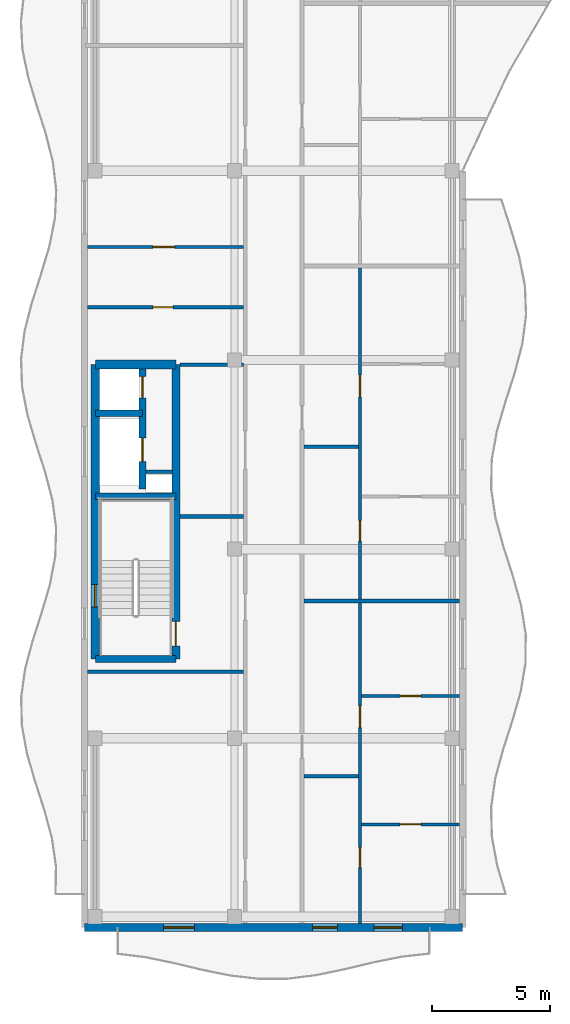
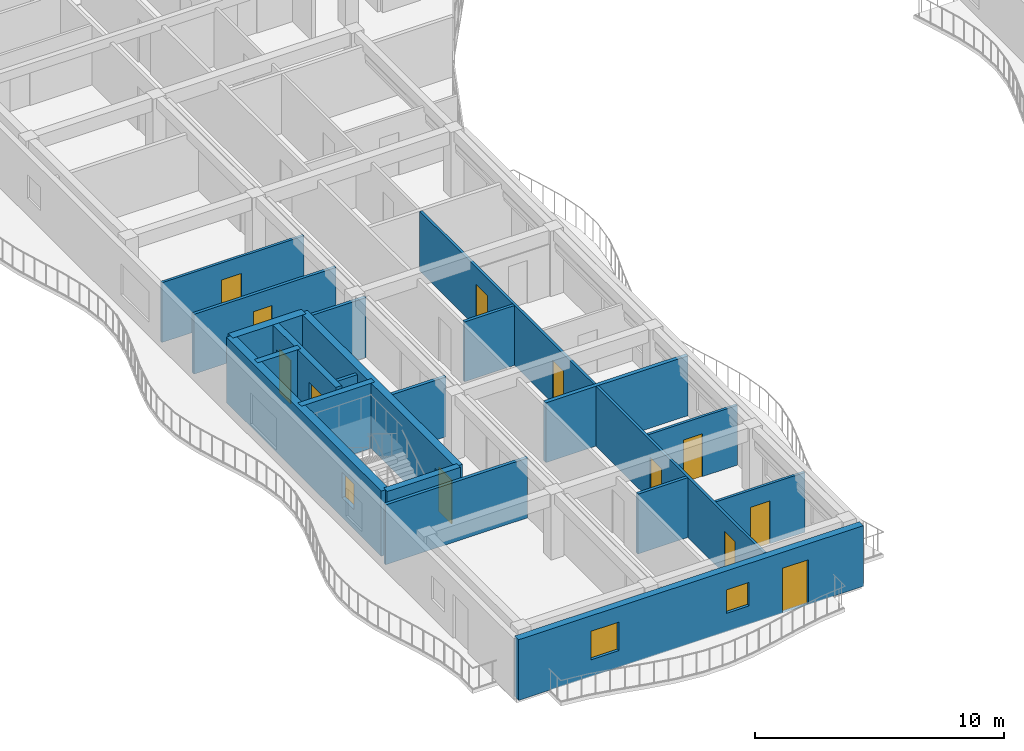
# One storey, part 30 of 76: 21 walls, 12 doors, 3 windows, 15 openings.
"""IFC4 building model written with IfcOpenShell, lengths in metres."""

from ifc_helpers import new_model, si_unit, direction, frame, frame_2d, origin, place, context, subcontext, project, spatial, rectangle, extrude, material, layer, layer_set, type_object, element, fill, save


model = new_model("IFC4")

# Units and contexts
model_context = context("Model", 3, precision=1e-05, world=origin(), true_north=direction((0.0, 1.0)))
body_context = subcontext(model_context, "Body", "Model", "MODEL_VIEW")
ifc_project = project(units=[si_unit("LENGTHUNIT", "METRE"), si_unit("AREAUNIT", "SQUARE_METRE"), si_unit("VOLUMEUNIT", "CUBIC_METRE"), si_unit("PLANEANGLEUNIT", "RADIAN"), si_unit("MASSUNIT", "GRAM", prefix="KILO")], contexts=[model_context])

# Site, building, storey
site_placement = place(None, origin())
site = spatial("IfcSite", under=ifc_project, at=site_placement, CompositionType="ELEMENT")
building_placement = place(site_placement, origin())
building = spatial("IfcBuilding", under=site, at=building_placement, Name="Keldmere Railside Commons", CompositionType="ELEMENT")
storey_placement = place(building_placement, frame((0.0, 0.0, 13.760009765625)))
storey = spatial("IfcBuildingStorey", under=building, at=storey_placement, Name="L04", CompositionType="ELEMENT", Elevation=13.760009765625)

# Wall
ifc_material_1 = material(Name="Acoustic Gypsum Board Partition", Category="gypsum")
ifc_layer_1 = layer(ifc_material_1, 0.179931640625, Name="Acoustic Demising Partition 180")
ifc_layer_set_1 = layer_set([ifc_layer_1], Name="Acoustic Gypsum Board Partition")
wall_type_1 = type_object("IfcWallType", Name="Acoustic Demising Partition 180", PredefinedType="PARTITIONING", material=ifc_layer_set_1)
wall_1_placement = place(storey_placement, frame((17.280029296875, 69.81005859375, 0.0), z_axis=(0.0, 0.0, 1.0), x_axis=(1.0, 0.0, 0.0)))
element("IfcWall", 1, at=wall_1_placement, inside=storey, type_object=wall_type_1, Name="IW-1 IW-L04-0335", PredefinedType="PARTITIONING", context=body_context, shape_type="SweptSolid", body=[
    extrude(rectangle(XDim=6.590087890625, YDim=0.179931640625, at=frame_2d((3.294921875, 0.0))), origin(), (0.0, 0.0, 1.0), 2.93505859375),
])

# Wall, openings, doors
ifc_layer_2 = layer(ifc_material_1, 0.1201171875, Name="Apartment Interior Partition 120")
ifc_layer_set_2 = layer_set([ifc_layer_2], Name="Acoustic Gypsum Board Partition")
wall_type_2 = type_object("IfcWallType", Name="Apartment Interior Partition 120", PredefinedType="PARTITIONING", material=ifc_layer_set_2)
wall_2_placement = place(storey_placement, frame((19.659912109375, 56.159912109375, 0.0), z_axis=(0.0, 0.0, 1.0), x_axis=(0.0, 1.0, 0.0)))
wall_2 = element("IfcWall", 2, at=wall_2_placement, inside=storey, type_object=wall_type_2, Name="IW-4 IW-L04-0338", PredefinedType="PARTITIONING", context=body_context, shape_type="SweptSolid", body=[
    extrude(rectangle(XDim=13.56005859375, YDim=0.1201171875, at=frame_2d((6.780029296875, 0.0))), origin(), (0.0, 0.0, 1.0), 2.93505859375),
])
opening_1_placement = place(wall_2_placement, frame((2.37109375, 0.0, 0.0)))
opening_1 = element("IfcOpeningElement", 3, at=opening_1_placement, cuts=wall_2, Name="Opening ID-04", PredefinedType="OPENING", context=body_context, shape_type="SweptSolid", body=[
    extrude(rectangle(XDim=0.860107421875, YDim=2.10009765625, at=frame_2d((0.43017578125, 1.050048828125))), frame((0.0, 0.070068359375, 0.0), z_axis=(0.0, -1.0, 0.0), x_axis=(1.0, 0.0, 0.0)), (0.0, 0.0, 1.0), 0.14013671875),
])
opening_2_placement = place(wall_2_placement, frame((8.28955078125, 0.0, 0.0)))
opening_2 = element("IfcOpeningElement", 4, at=opening_2_placement, cuts=wall_2, Name="Opening ID-03", PredefinedType="OPENING", context=body_context, shape_type="SweptSolid", body=[
    extrude(rectangle(XDim=0.919921875, YDim=2.10009765625, at=frame_2d((0.4599609375, 1.050048828125))), frame((0.0, 0.070068359375, 0.0), z_axis=(0.0, -1.0, 0.0), x_axis=(1.0, 0.0, 0.0)), (0.0, 0.0, 1.0), 0.14013671875),
])
ifc_material_2 = material(Name="Engineered Oak Timber", Category="wood")
door_type_1 = type_object("IfcDoorType", Name="Apartment Bathroom Door 860x2100", OperationType="NOTDEFINED", PredefinedType="DOOR", material=ifc_material_2)
door_1_placement = place(opening_1_placement, origin())
door_1 = element("IfcDoor", 5, at=door_1_placement, inside=storey, type_object=door_type_1, Name="ID-04 IDR-L04-0238", OperationType="SINGLE_SWING_RIGHT", OverallHeight=2.10009765625, OverallWidth=0.860107421875, PredefinedType="DOOR", context=body_context, shape_type="SweptSolid", body=[
    extrude(rectangle(XDim=0.860107421875, YDim=2.10009765625, at=frame_2d((0.43017578125, 1.050048828125))), frame((0.0, 0.02490234375, 0.0), z_axis=(0.0, -1.0, 0.0), x_axis=(1.0, 0.0, 0.0)), (0.0, 0.0, 1.0), 0.050048828125),
])
fill(opening_1, door_1)
door_type_2 = type_object("IfcDoorType", Name="Kitchen Pocket-Frame Swing Door 920x2100", OperationType="NOTDEFINED", PredefinedType="DOOR", material=ifc_material_2)
door_2_placement = place(opening_2_placement, origin())
door_2 = element("IfcDoor", 6, at=door_2_placement, inside=storey, type_object=door_type_2, Name="ID-03 IDR-L04-0239", OperationType="SINGLE_SWING_LEFT", OverallHeight=2.10009765625, OverallWidth=0.919921875, PredefinedType="DOOR", context=body_context, shape_type="SweptSolid", body=[
    extrude(rectangle(XDim=0.919921875, YDim=2.10009765625, at=frame_2d((0.4599609375, 1.050048828125))), frame((0.0, 0.02490234375, 0.0), z_axis=(0.0, -1.0, 0.0), x_axis=(1.0, 0.0, 0.0)), (0.0, 0.0, 1.0), 0.050048828125),
])
fill(opening_2, door_2)

# Wall, opening, door
wall_3_placement = place(storey_placement, frame((19.719970703125, 60.360107421875, 0.0), z_axis=(0.0, 0.0, 1.0), x_axis=(1.0, 0.0, 0.0)))
wall_3 = element("IfcWall", 7, at=wall_3_placement, inside=storey, type_object=wall_type_2, Name="IW-4 IW-L04-0340", PredefinedType="PARTITIONING", context=body_context, shape_type="SweptSolid", body=[
    extrude(rectangle(XDim=4.150146484375, YDim=0.1201171875, at=frame_2d((2.0751953125, 0.0))), origin(), (0.0, 0.0, 1.0), 2.93505859375),
])
opening_3_placement = place(wall_3_placement, frame((1.625, 0.0, 0.0)))
opening_3 = element("IfcOpeningElement", 8, at=opening_3_placement, cuts=wall_3, Name="Opening ID-01", PredefinedType="OPENING", context=body_context, shape_type="SweptSolid", body=[
    extrude(rectangle(XDim=0.89990234375, YDim=2.10009765625, at=frame_2d((0.449951171875, 1.050048828125))), frame((0.0, 0.070068359375, 0.0), z_axis=(0.0, -1.0, 0.0), x_axis=(1.0, 0.0, 0.0)), (0.0, 0.0, 1.0), 0.14013671875),
])
door_type_3 = type_object("IfcDoorType", Name="Primary Bedroom Door 900x2100", OperationType="NOTDEFINED", PredefinedType="DOOR", material=ifc_material_2)
door_3_placement = place(opening_3_placement, origin())
door_3 = element("IfcDoor", 9, at=door_3_placement, inside=storey, type_object=door_type_3, Name="ID-01 IDR-L04-0241", OperationType="SINGLE_SWING_LEFT", OverallHeight=2.10009765625, OverallWidth=0.89990234375, PredefinedType="DOOR", context=body_context, shape_type="SweptSolid", body=[
    extrude(rectangle(XDim=0.89990234375, YDim=2.10009765625, at=frame_2d((0.449951171875, 1.050048828125))), frame((0.0, 0.02490234375, 0.0), z_axis=(0.0, -1.0, 0.0), x_axis=(1.0, 0.0, 0.0)), (0.0, 0.0, 1.0), 0.050048828125),
])
fill(opening_3, door_3)

wall_4_placement = place(storey_placement, frame((19.719970703125, 65.7900390625, 0.0), z_axis=(0.0, 0.0, 1.0), x_axis=(1.0, 0.0, 0.0)))
wall_4 = element("IfcWall", 10, at=wall_4_placement, inside=storey, type_object=wall_type_2, Name="IW-4 IW-L04-0341", PredefinedType="PARTITIONING", context=body_context, shape_type="SweptSolid", body=[
    extrude(rectangle(XDim=4.150146484375, YDim=0.1201171875, at=frame_2d((2.0751953125, 0.0))), origin(), (0.0, 0.0, 1.0), 2.93505859375),
])
opening_4_placement = place(wall_4_placement, frame((1.635009765625, 0.0, 0.0)))
opening_4 = element("IfcOpeningElement", 11, at=opening_4_placement, cuts=wall_4, Name="Opening ID-02", PredefinedType="OPENING", context=body_context, shape_type="SweptSolid", body=[
    extrude(rectangle(XDim=0.8798828125, YDim=2.10009765625, at=frame_2d((0.43994140625, 1.050048828125))), frame((0.0, 0.070068359375, 0.0), z_axis=(0.0, -1.0, 0.0), x_axis=(1.0, 0.0, 0.0)), (0.0, 0.0, 1.0), 0.14013671875),
])
door_type_4 = type_object("IfcDoorType", Name="Secondary Bedroom Door 880x2100", OperationType="NOTDEFINED", PredefinedType="DOOR", material=ifc_material_2)
door_4_placement = place(opening_4_placement, origin())
door_4 = element("IfcDoor", 12, at=door_4_placement, inside=storey, type_object=door_type_4, Name="ID-02 IDR-L04-0242", OperationType="SINGLE_SWING_RIGHT", OverallHeight=2.10009765625, OverallWidth=0.8798828125, PredefinedType="DOOR", context=body_context, shape_type="SweptSolid", body=[
    extrude(rectangle(XDim=0.8798828125, YDim=2.10009765625, at=frame_2d((0.43994140625, 1.050048828125))), frame((0.0, 0.02490234375, 0.0), z_axis=(0.0, -1.0, 0.0), x_axis=(1.0, 0.0, 0.0)), (0.0, 0.0, 1.0), 0.050048828125),
])
fill(opening_4, door_4)

# Wall, openings, doors
wall_5_placement = place(storey_placement, frame((19.659912109375, 69.89990234375, 0.0), z_axis=(0.0, 0.0, 1.0), x_axis=(0.0, 1.0, 0.0)))
wall_5 = element("IfcWall", 13, at=wall_5_placement, inside=storey, type_object=wall_type_2, Name="IW-4 IW-L04-0342", PredefinedType="PARTITIONING", context=body_context, shape_type="SweptSolid", body=[
    extrude(rectangle(XDim=13.97998046875, YDim=0.1201171875, at=frame_2d((6.989990234375, 0.0))), origin(), (0.0, 0.0, 1.0), 2.93505859375),
])
opening_5_placement = place(wall_5_placement, frame((2.443359375, 0.0, 0.0)))
opening_5 = element("IfcOpeningElement", 14, at=opening_5_placement, cuts=wall_5, Name="Opening ID-04", PredefinedType="OPENING", context=body_context, shape_type="SweptSolid", body=[
    extrude(rectangle(XDim=0.860107421875, YDim=2.10009765625, at=frame_2d((0.43017578125, 1.050048828125))), frame((0.0, 0.070068359375, 0.0), z_axis=(0.0, -1.0, 0.0), x_axis=(1.0, 0.0, 0.0)), (0.0, 0.0, 1.0), 0.14013671875),
])
opening_6_placement = place(wall_5_placement, frame((8.5439453125, 0.0, 0.0)))
opening_6 = element("IfcOpeningElement", 15, at=opening_6_placement, cuts=wall_5, Name="Opening ID-03", PredefinedType="OPENING", context=body_context, shape_type="SweptSolid", body=[
    extrude(rectangle(XDim=0.919921875, YDim=2.10009765625, at=frame_2d((0.4599609375, 1.050048828125))), frame((0.0, 0.070068359375, 0.0), z_axis=(0.0, -1.0, 0.0), x_axis=(1.0, 0.0, 0.0)), (0.0, 0.0, 1.0), 0.14013671875),
])
door_5_placement = place(opening_5_placement, origin())
door_5 = element("IfcDoor", 16, at=door_5_placement, inside=storey, type_object=door_type_1, Name="ID-04 IDR-L04-0243", OperationType="SINGLE_SWING_LEFT", OverallHeight=2.10009765625, OverallWidth=0.860107421875, PredefinedType="DOOR", context=body_context, shape_type="SweptSolid", body=[
    extrude(rectangle(XDim=0.860107421875, YDim=2.10009765625, at=frame_2d((0.43017578125, 1.050048828125))), frame((0.0, 0.02490234375, 0.0), z_axis=(0.0, -1.0, 0.0), x_axis=(1.0, 0.0, 0.0)), (0.0, 0.0, 1.0), 0.050048828125),
])
fill(opening_5, door_5)
door_6_placement = place(opening_6_placement, origin())
door_6 = element("IfcDoor", 17, at=door_6_placement, inside=storey, type_object=door_type_2, Name="ID-03 IDR-L04-0244", OperationType="SINGLE_SWING_RIGHT", OverallHeight=2.10009765625, OverallWidth=0.919921875, PredefinedType="DOOR", context=body_context, shape_type="SweptSolid", body=[
    extrude(rectangle(XDim=0.919921875, YDim=2.10009765625, at=frame_2d((0.4599609375, 1.050048828125))), frame((0.0, 0.02490234375, 0.0), z_axis=(0.0, -1.0, 0.0), x_axis=(1.0, 0.0, 0.0)), (0.0, 0.0, 1.0), 0.050048828125),
])
fill(opening_6, door_6)

# Wall, opening, door
wall_6_placement = place(storey_placement, frame((8.1298828125, 84.780029296875, 0.0), z_axis=(0.0, 0.0, 1.0), x_axis=(1.0, 0.0, 0.0)))
wall_6 = element("IfcWall", 18, at=wall_6_placement, inside=storey, type_object=wall_type_2, Name="IW-4 IW-L04-0361", PredefinedType="PARTITIONING", context=body_context, shape_type="SweptSolid", body=[
    extrude(rectangle(XDim=6.590087890625, YDim=0.1201171875, at=frame_2d((3.294921875, 0.0))), origin(), (0.0, 0.0, 1.0), 2.93505859375),
])
opening_7_placement = place(wall_6_placement, frame((2.767822265625, 0.0, 0.0)))
opening_7 = element("IfcOpeningElement", 19, at=opening_7_placement, cuts=wall_6, Name="Opening ID-03", PredefinedType="OPENING", context=body_context, shape_type="SweptSolid", body=[
    extrude(rectangle(XDim=0.919921875, YDim=2.10009765625, at=frame_2d((0.4599609375, 1.050048828125))), frame((0.0, 0.070068359375, 0.0), z_axis=(0.0, -1.0, 0.0), x_axis=(1.0, 0.0, 0.0)), (0.0, 0.0, 1.0), 0.14013671875),
])
door_7_placement = place(opening_7_placement, origin())
door_7 = element("IfcDoor", 20, at=door_7_placement, inside=storey, type_object=door_type_2, Name="ID-03 IDR-L04-0268", OperationType="SINGLE_SWING_RIGHT", OverallHeight=2.10009765625, OverallWidth=0.919921875, PredefinedType="DOOR", context=body_context, shape_type="SweptSolid", body=[
    extrude(rectangle(XDim=0.919921875, YDim=2.10009765625, at=frame_2d((0.4599609375, 1.050048828125))), frame((0.0, 0.02490234375, 0.0), z_axis=(0.0, -1.0, 0.0), x_axis=(1.0, 0.0, 0.0)), (0.0, 0.0, 1.0), 0.050048828125),
])
fill(opening_7, door_7)

# Walls
ifc_material_3 = material(Name="Concrete H-35 (C35/45)", Category="concrete")
ifc_layer_3 = layer(ifc_material_3, 0.280029296875, Name="Core Shear Wall 280")
ifc_layer_set_3 = layer_set([ifc_layer_3], Name="Concrete H-35 (C35/45)")
wall_type_3 = type_object("IfcWallType", Name="Core Shear Wall 280", PredefinedType="SHEAR", material=ifc_layer_set_3)
wall_7_placement = place(storey_placement, frame((8.4599609375, 74.239990234375, 0.0), z_axis=(0.0, 0.0, 1.0), x_axis=(1.0, 0.0, 0.0)))
element("IfcWall", 21, at=wall_7_placement, inside=storey, type_object=wall_type_3, Name="CSW-2 COREDM-L04-0079", PredefinedType="SHEAR", context=body_context, shape_type="SweptSolid", body=[
    extrude(rectangle(XDim=3.41015625, YDim=0.280029296875, at=frame_2d((1.705078125, 0.0))), origin(), (0.0, 0.0, 1.0), 3.199951171875),
])
wall_8_placement = place(storey_placement, frame((8.4599609375, 77.75, 0.0), z_axis=(0.0, 0.0, 1.0), x_axis=(1.0, 0.0, 0.0)))
element("IfcWall", 22, at=wall_8_placement, inside=storey, type_object=wall_type_3, Name="CSW-2 COREDL-L04-0080", PredefinedType="SHEAR", context=body_context, shape_type="SweptSolid", body=[
    extrude(rectangle(XDim=2.0, YDim=0.280029296875, at=frame_2d((1.0, 0.0))), origin(), (0.0, 0.0, 1.0), 3.199951171875),
])

# Wall, openings, doors
wall_9_placement = place(storey_placement, frame((10.4599609375, 74.550048828125, 0.0), z_axis=(0.0, 0.0, 1.0), x_axis=(0.0, 1.0, 0.0)))
wall_9 = element("IfcWall", 23, at=wall_9_placement, inside=storey, type_object=wall_type_3, Name="CSW-2 LSHD-L04-0081", PredefinedType="SHEAR", context=body_context, shape_type="SweptSolid", body=[
    extrude(rectangle(XDim=5.25, YDim=0.280029296875, at=frame_2d((2.625, 0.0))), origin(), (0.0, 0.0, 1.0), 3.199951171875),
])
opening_8_placement = place(wall_9_placement, frame((1.14990234375, 0.0, 0.0)))
opening_8 = element("IfcOpeningElement", 24, at=opening_8_placement, cuts=wall_9, Name="Opening LD-1", PredefinedType="OPENING", context=body_context, shape_type="SweptSolid", body=[
    extrude(rectangle(XDim=1.0, YDim=2.14990234375, at=frame_2d((0.5, 1.074951171875))), frame((0.0, 0.14990234375, 0.0), z_axis=(0.0, -1.0, 0.0), x_axis=(1.0, 0.0, 0.0)), (0.0, 0.0, 1.0), 0.300048828125),
])
opening_9_placement = place(wall_9_placement, frame((3.85009765625, 0.0, 0.0)))
opening_9 = element("IfcOpeningElement", 25, at=opening_9_placement, cuts=wall_9, Name="Opening LD-2", PredefinedType="OPENING", context=body_context, shape_type="SweptSolid", body=[
    extrude(rectangle(XDim=0.89990234375, YDim=2.14990234375, at=frame_2d((0.449951171875, 1.074951171875))), frame((0.0, 0.14990234375, 0.0), z_axis=(0.0, -1.0, 0.0), x_axis=(1.0, 0.0, 0.0)), (0.0, 0.0, 1.0), 0.300048828125),
])
ifc_material_4 = material(Name="Steel F-24 (S235)", Category="steel")
door_type_5 = type_object("IfcDoorType", Name="Firefighting Stretcher Lift Landing Door 1000x2150", OperationType="SLIDING_TO_LEFT", PredefinedType="DOOR", material=ifc_material_4)
door_8_placement = place(opening_8_placement, origin())
door_8 = element("IfcDoor", 26, at=door_8_placement, inside=storey, type_object=door_type_5, Name="LD-1 D L04", OperationType="SLIDING_TO_LEFT", OverallHeight=2.14990234375, OverallWidth=1.0, PredefinedType="DOOR", context=body_context, shape_type="SweptSolid", body=[
    extrude(rectangle(XDim=1.0, YDim=2.14990234375, at=frame_2d((0.5, 1.074951171875))), frame((0.0, 0.02490234375, 0.0), z_axis=(0.0, -1.0, 0.0), x_axis=(1.0, 0.0, 0.0)), (0.0, 0.0, 1.0), 0.050048828125),
])
fill(opening_8, door_8)
door_type_6 = type_object("IfcDoorType", Name="Passenger Lift Sliding Landing Door 900x2150", OperationType="SLIDING_TO_RIGHT", PredefinedType="DOOR", material=ifc_material_4)
door_9_placement = place(opening_9_placement, origin())
door_9 = element("IfcDoor", 27, at=door_9_placement, inside=storey, type_object=door_type_6, Name="LD-2 D L04", OperationType="SLIDING_TO_RIGHT", OverallHeight=2.14990234375, OverallWidth=0.89990234375, PredefinedType="DOOR", context=body_context, shape_type="SweptSolid", body=[
    extrude(rectangle(XDim=0.89990234375, YDim=2.14990234375, at=frame_2d((0.449951171875, 1.074951171875))), frame((0.0, 0.02490234375, 0.0), z_axis=(0.0, -1.0, 0.0), x_axis=(1.0, 0.0, 0.0)), (0.0, 0.0, 1.0), 0.050048828125),
])
fill(opening_9, door_9)

# Wall, opening, window
ifc_material_5 = material(Name="Concrete H-40 (C40/50)", Category="concrete")
ifc_layer_4 = layer(ifc_material_5, 0.3798828125, Name="Core Shear Wall 380")
ifc_layer_set_4 = layer_set([ifc_layer_4], Name="Concrete H-40 (C40/50)")
wall_type_4 = type_object("IfcWallType", Name="Core Shear Wall 380", PredefinedType="SHEAR", material=ifc_layer_set_4)
wall_10_placement = place(storey_placement, frame((8.4599609375, 67.35009765625, 0.0), z_axis=(0.0, 0.0, 1.0), x_axis=(0.0, 1.0, 0.0)))
wall_10 = element("IfcWall", 28, at=wall_10_placement, inside=storey, type_object=wall_type_4, Name="CW-CORE COREDW-L04-0075", PredefinedType="SHEAR", context=body_context, shape_type="SweptSolid", body=[
    extrude(rectangle(XDim=12.449951171875, YDim=0.3798828125, at=frame_2d((6.22509765625, 0.0))), origin(), (0.0, 0.0, 1.0), 3.199951171875),
])
opening_10_placement = place(wall_10_placement, frame((2.199951171875, 0.0, 0.969970703125)))
opening_10 = element("IfcOpeningElement", 29, at=opening_10_placement, cuts=wall_10, Name="Opening WN-17", PredefinedType="OPENING", context=body_context, shape_type="SweptSolid", body=[
    extrude(rectangle(XDim=0.949951171875, YDim=1.25, at=frame_2d((0.47509765625, 0.625))), frame((0.0, 0.199951171875, 0.0), z_axis=(0.0, -1.0, 0.0), x_axis=(1.0, 0.0, 0.0)), (0.0, 0.0, 1.0), 0.39990234375),
])
ifc_material_6 = material(Name="Low-E Insulated Double Glazing", Category="glass")
window_type_1 = type_object("IfcWindowType", Name="Stair Core Natural Smoke-Vent Window 950x1250", PartitioningType="SINGLE_PANEL", PredefinedType="WINDOW", material=ifc_material_6)
window_1_placement = place(opening_10_placement, origin())
window_1 = element("IfcWindow", 30, at=window_1_placement, inside=storey, type_object=window_type_1, Name="WN-17 WIN-L04-0011", OverallHeight=1.25, OverallWidth=0.949951171875, PartitioningType="SINGLE_PANEL", PredefinedType="WINDOW", context=body_context, shape_type="SweptSolid", body=[
    extrude(rectangle(XDim=0.949951171875, YDim=1.25, at=frame_2d((0.47509765625, 0.625))), frame((0.0, 0.030029296875, 0.0), z_axis=(0.0, -1.0, 0.0), x_axis=(1.0, 0.0, 0.0)), (0.0, 0.0, 1.0), 0.06005859375),
])
fill(opening_10, window_1)

# Wall
wall_11_placement = place(storey_placement, frame((8.4599609375, 79.800048828125, 0.0), z_axis=(0.0, 0.0, 1.0), x_axis=(1.0, 0.0, 0.0)))
element("IfcWall", 31, at=wall_11_placement, inside=storey, type_object=wall_type_4, Name="CW-CORE COREDN-L04-0076", PredefinedType="SHEAR", context=body_context, shape_type="SweptSolid", body=[
    extrude(rectangle(XDim=3.41015625, YDim=0.3798828125, at=frame_2d((1.705078125, 0.0))), origin(), (0.0, 0.0, 1.0), 3.199951171875),
])

# Wall, openings, windows, door
ifc_layer_5 = layer(ifc_material_3, 0.320068359375, Name="Exterior Shear Wall 320")
ifc_layer_set_5 = layer_set([ifc_layer_5], Name="Concrete H-35 (C35/45)")
wall_type_5 = type_object("IfcWallType", Name="Exterior Shear Wall 320", PredefinedType="SHEAR", material=ifc_layer_set_5)
wall_12_placement = place(storey_placement, frame((24.0, 56.0, 0.0), z_axis=(0.0, 0.0, 1.0), x_axis=(-1.0, 0.0, 0.0)))
wall_12 = element("IfcWall", 32, at=wall_12_placement, inside=storey, type_object=wall_type_5, Name="ESW-2 EXTD-L04-0150", PredefinedType="SHEAR", context=body_context, shape_type="SweptSolid", body=[
    extrude(rectangle(XDim=16.0, YDim=0.320068359375, at=frame_2d((8.0, 0.0))), origin(), (0.0, 0.0, 1.0), 2.97998046875),
])
opening_11_placement = place(wall_12_placement, frame((2.550048828125, 0.0, 0.0)))
opening_11 = element("IfcOpeningElement", 33, at=opening_11_placement, cuts=wall_12, Name="Opening BD-01", PredefinedType="OPENING", context=body_context, shape_type="SweptSolid", body=[
    extrude(rectangle(XDim=1.199951171875, YDim=2.199951171875, at=frame_2d((0.60009765625, 1.10009765625))), frame((0.0, 0.169921875, 0.0), z_axis=(0.0, -1.0, 0.0), x_axis=(1.0, 0.0, 0.0)), (0.0, 0.0, 1.0), 0.340087890625),
])
opening_12_placement = place(wall_12_placement, frame((5.300048828125, 0.0, 0.89990234375)))
opening_12 = element("IfcOpeningElement", 34, at=opening_12_placement, cuts=wall_12, Name="Opening WN-13", PredefinedType="OPENING", context=body_context, shape_type="SweptSolid", body=[
    extrude(rectangle(XDim=1.050048828125, YDim=1.14990234375, at=frame_2d((0.52490234375, 0.574951171875))), frame((0.0, 0.169921875, 0.0), z_axis=(0.0, -1.0, 0.0), x_axis=(1.0, 0.0, 0.0)), (0.0, 0.0, 1.0), 0.340087890625),
])
opening_13_placement = place(wall_12_placement, frame((11.35009765625, 0.0, 0.820068359375)))
opening_13 = element("IfcOpeningElement", 35, at=opening_13_placement, cuts=wall_12, Name="Opening WN-10", PredefinedType="OPENING", context=body_context, shape_type="SweptSolid", body=[
    extrude(rectangle(XDim=1.300048828125, YDim=1.39990234375, at=frame_2d((0.64990234375, 0.699951171875))), frame((0.0, 0.169921875, 0.0), z_axis=(0.0, -1.0, 0.0), x_axis=(1.0, 0.0, 0.0)), (0.0, 0.0, 1.0), 0.340087890625),
])
window_type_2 = type_object("IfcWindowType", Name="Apartment Kitchen Casement Window 1050x1150", PartitioningType="SINGLE_PANEL", PredefinedType="WINDOW", material=ifc_material_6)
window_2_placement = place(opening_12_placement, origin())
window_2 = element("IfcWindow", 36, at=window_2_placement, inside=storey, type_object=window_type_2, Name="WN-13 WIN-L04-0081", OverallHeight=1.14990234375, OverallWidth=1.050048828125, PartitioningType="SINGLE_PANEL", PredefinedType="WINDOW", context=body_context, shape_type="SweptSolid", body=[
    extrude(rectangle(XDim=1.050048828125, YDim=1.14990234375, at=frame_2d((0.52490234375, 0.574951171875))), frame((0.0, 0.030029296875, 0.0), z_axis=(0.0, -1.0, 0.0), x_axis=(1.0, 0.0, 0.0)), (0.0, 0.0, 1.0), 0.06005859375),
])
fill(opening_12, window_2)
ifc_material_7 = material(Name="Thermally Broken Aluminium", Category="aluminium")
door_type_7 = type_object("IfcDoorType", Name="Apartment Living Wave-Balcony Glazed Door 1200x2200", OperationType="NOTDEFINED", PredefinedType="DOOR", material=ifc_material_7)
door_10_placement = place(opening_11_placement, origin())
door_10 = element("IfcDoor", 37, at=door_10_placement, inside=storey, type_object=door_type_7, Name="BD-01 DR-L04-0025", OperationType="SINGLE_SWING_LEFT", OverallHeight=2.199951171875, OverallWidth=1.199951171875, PredefinedType="DOOR", context=body_context, shape_type="SweptSolid", body=[
    extrude(rectangle(XDim=1.199951171875, YDim=2.199951171875, at=frame_2d((0.60009765625, 1.10009765625))), frame((0.0, 0.02490234375, 0.0), z_axis=(0.0, -1.0, 0.0), x_axis=(1.0, 0.0, 0.0)), (0.0, 0.0, 1.0), 0.050048828125),
])
fill(opening_11, door_10)
window_type_3 = type_object("IfcWindowType", Name="Secondary Bedroom Court Window 1300x1400", PartitioningType="SINGLE_PANEL", PredefinedType="WINDOW", material=ifc_material_6)
window_3_placement = place(opening_13_placement, origin())
window_3 = element("IfcWindow", 38, at=window_3_placement, inside=storey, type_object=window_type_3, Name="WN-10 WIN-L04-0082", OverallHeight=1.39990234375, OverallWidth=1.300048828125, PartitioningType="SINGLE_PANEL", PredefinedType="WINDOW", context=body_context, shape_type="SweptSolid", body=[
    extrude(rectangle(XDim=1.300048828125, YDim=1.39990234375, at=frame_2d((0.64990234375, 0.699951171875))), frame((0.0, 0.030029296875, 0.0), z_axis=(0.0, -1.0, 0.0), x_axis=(1.0, 0.0, 0.0)), (0.0, 0.0, 1.0), 0.06005859375),
])
fill(opening_13, window_3)

# Wall
ifc_layer_6 = layer(ifc_material_3, 0.300048828125, Name="Interior Shear Wall 300")
ifc_layer_set_6 = layer_set([ifc_layer_6], Name="Concrete H-35 (C35/45)")
wall_type_6 = type_object("IfcWallType", Name="Interior Shear Wall 300", PredefinedType="SHEAR", material=ifc_layer_set_6)
wall_13_placement = place(storey_placement, frame((11.8701171875, 67.35009765625, 0.0), z_axis=(0.0, 0.0, 1.0), x_axis=(-1.0, 0.0, 0.0)))
element("IfcWall", 39, at=wall_13_placement, inside=storey, type_object=wall_type_6, Name="ISW-2 COREDS-L04-0078", PredefinedType="SHEAR", context=body_context, shape_type="SweptSolid", body=[
    extrude(rectangle(XDim=3.41015625, YDim=0.300048828125, at=frame_2d((1.705078125, 0.0))), origin(), (0.0, 0.0, 1.0), 3.199951171875),
])

# Wall, opening, door
ifc_layer_7 = layer(ifc_material_3, 0.340087890625, Name="Interior Shear Wall 340")
ifc_layer_set_7 = layer_set([ifc_layer_7], Name="Concrete H-35 (C35/45)")
wall_type_7 = type_object("IfcWallType", Name="Interior Shear Wall 340", PredefinedType="SHEAR", material=ifc_layer_set_7)
wall_14_placement = place(storey_placement, frame((11.8701171875, 79.800048828125, 0.0), z_axis=(0.0, 0.0, 1.0), x_axis=(0.0, -1.0, 0.0)))
wall_14 = element("IfcWall", 40, at=wall_14_placement, inside=storey, type_object=wall_type_7, Name="ISW-1 COREDE-L04-0077", PredefinedType="SHEAR", context=body_context, shape_type="SweptSolid", body=[
    extrude(rectangle(XDim=12.449951171875, YDim=0.340087890625, at=frame_2d((6.22509765625, 0.0))), origin(), (0.0, 0.0, 1.0), 3.199951171875),
])
opening_14_placement = place(wall_14_placement, frame((10.85009765625, 0.0, 0.0)))
opening_14 = element("IfcOpeningElement", 41, at=opening_14_placement, cuts=wall_14, Name="Opening FD-1", PredefinedType="OPENING", context=body_context, shape_type="SweptSolid", body=[
    extrude(rectangle(XDim=1.050048828125, YDim=2.14990234375, at=frame_2d((0.52490234375, 1.074951171875))), frame((0.0, 0.179931640625, 0.0), z_axis=(0.0, -1.0, 0.0), x_axis=(1.0, 0.0, 0.0)), (0.0, 0.0, 1.0), 0.360107421875),
])
door_type_8 = type_object("IfcDoorType", Name="Stair Core Fire Door 1050x2150", OperationType="NOTDEFINED", PredefinedType="DOOR", material=ifc_material_4)
door_11_placement = place(opening_14_placement, origin())
door_11 = element("IfcDoor", 42, at=door_11_placement, inside=storey, type_object=door_type_8, Name="FD-1 D1 L04", OperationType="SINGLE_SWING_LEFT", OverallHeight=2.14990234375, OverallWidth=1.050048828125, PredefinedType="DOOR", context=body_context, shape_type="SweptSolid", body=[
    extrude(rectangle(XDim=1.050048828125, YDim=2.14990234375, at=frame_2d((0.52490234375, 1.074951171875))), frame((0.0, 0.02490234375, 0.0), z_axis=(0.0, -1.0, 0.0), x_axis=(1.0, 0.0, 0.0)), (0.0, 0.0, 1.0), 0.050048828125),
])
fill(opening_14, door_11)

# Walls
ifc_layer_8 = layer(ifc_material_1, 0.14990234375, Name="Lobby Rated Partition 150")
ifc_layer_set_8 = layer_set([ifc_layer_8], Name="Acoustic Gypsum Board Partition")
wall_type_8 = type_object("IfcWallType", Name="Lobby Rated Partition 150", PredefinedType="PARTITIONING", material=ifc_layer_set_8)
wall_15_placement = place(storey_placement, frame((10.60009765625, 75.280029296875, 0.0), z_axis=(0.0, 0.0, 1.0), x_axis=(1.0, 0.0, 0.0)))
element("IfcWall", 43, at=wall_15_placement, inside=storey, type_object=wall_type_8, Name="IW-3 RSRND-L04-0082", PredefinedType="PARTITIONING", context=body_context, shape_type="SweptSolid", body=[
    extrude(rectangle(XDim=1.1298828125, YDim=0.14990234375, at=frame_2d((0.56494140625, 0.0))), origin(), (0.0, 0.0, 1.0), 2.949951171875),
])
wall_16_placement = place(storey_placement, frame((8.1298828125, 66.820068359375, 0.0), z_axis=(0.0, 0.0, 1.0), x_axis=(1.0, 0.0, 0.0)))
element("IfcWall", 44, at=wall_16_placement, inside=storey, type_object=wall_type_8, Name="IW-3 IW-L04-0324", PredefinedType="PARTITIONING", context=body_context, shape_type="SweptSolid", body=[
    extrude(rectangle(XDim=6.590087890625, YDim=0.14990234375, at=frame_2d((3.294921875, 0.0))), origin(), (0.0, 0.0, 1.0), 2.93505859375),
])
for number, where, z_axis, x_axis, name in (
    (45, (12.0400390625, 73.3798828125, 0.0), (0.0, 0.0, 1.0), (1.0, 0.0, 0.0), "IW-3 IW-L04-0325"),
    (46, (12.0400390625, 79.800048828125, 0.0), (0.0, 0.0, 1.0), (1.0, 0.0, 0.0), "IW-3 IW-L04-0326"),
):
    element("IfcWall", number, at=place(storey_placement, frame(where, z_axis=z_axis, x_axis=x_axis)), inside=storey, type_object=wall_type_8, Name=name, PredefinedType="PARTITIONING", context=body_context, shape_type="SweptSolid", body=[
        extrude(rectangle(XDim=2.679931640625, YDim=0.14990234375, at=frame_2d((1.33984375, 0.0))), origin(), (0.0, 0.0, 1.0), 2.93505859375),
    ])
ifc_layer_9 = layer(ifc_material_1, 0.139892578125, Name="Wet-Room Sanitary Partition 140")
ifc_layer_set_9 = layer_set([ifc_layer_9], Name="Acoustic Gypsum Board Partition")
wall_type_9 = type_object("IfcWallType", Name="Wet-Room Sanitary Partition 140", PredefinedType="PARTITIONING", material=ifc_layer_set_9)
for number, where, z_axis, x_axis, name in (
    (47, (17.280029296875, 62.39990234375, 0.0), (0.0, 0.0, 1.0), (1.0, 0.0, 0.0), "IW-5 IW-L04-0339"),
    (48, (17.280029296875, 76.330078125, 0.0), (0.0, 0.0, 1.0), (1.0, 0.0, 0.0), "IW-5 IW-L04-0343"),
):
    element("IfcWall", number, at=place(storey_placement, frame(where, z_axis=z_axis, x_axis=x_axis)), inside=storey, type_object=wall_type_9, Name=name, PredefinedType="PARTITIONING", context=body_context, shape_type="SweptSolid", body=[
        extrude(rectangle(XDim=2.320068359375, YDim=0.139892578125, at=frame_2d((1.16015625, 0.0))), origin(), (0.0, 0.0, 1.0), 2.93505859375),
    ])

# Wall, opening, door
wall_17_placement = place(storey_placement, frame((8.1298828125, 82.22998046875, 0.0), z_axis=(0.0, 0.0, 1.0), x_axis=(1.0, 0.0, 0.0)))
wall_17 = element("IfcWall", 49, at=wall_17_placement, inside=storey, type_object=wall_type_9, Name="IW-5 IW-L04-0360", PredefinedType="PARTITIONING", context=body_context, shape_type="SweptSolid", body=[
    extrude(rectangle(XDim=6.590087890625, YDim=0.139892578125, at=frame_2d((3.294921875, 0.0))), origin(), (0.0, 0.0, 1.0), 2.93505859375),
])
opening_15_placement = place(wall_17_placement, frame((2.767822265625, 0.0, 0.0)))
opening_15 = element("IfcOpeningElement", 50, at=opening_15_placement, cuts=wall_17, Name="Opening ID-04", PredefinedType="OPENING", context=body_context, shape_type="SweptSolid", body=[
    extrude(rectangle(XDim=0.860107421875, YDim=2.10009765625, at=frame_2d((0.43017578125, 1.050048828125))), frame((0.0, 0.079833984375, 0.0), z_axis=(0.0, -1.0, 0.0), x_axis=(1.0, 0.0, 0.0)), (0.0, 0.0, 1.0), 0.159912109375),
])
door_12_placement = place(opening_15_placement, origin())
door_12 = element("IfcDoor", 51, at=door_12_placement, inside=storey, type_object=door_type_1, Name="ID-04 IDR-L04-0267", OperationType="SINGLE_SWING_LEFT", OverallHeight=2.10009765625, OverallWidth=0.860107421875, PredefinedType="DOOR", context=body_context, shape_type="SweptSolid", body=[
    extrude(rectangle(XDim=0.860107421875, YDim=2.10009765625, at=frame_2d((0.43017578125, 1.050048828125))), frame((0.0, 0.02490234375, 0.0), z_axis=(0.0, -1.0, 0.0), x_axis=(1.0, 0.0, 0.0)), (0.0, 0.0, 1.0), 0.050048828125),
])
fill(opening_15, door_12)

save(model, "model.ifc")
